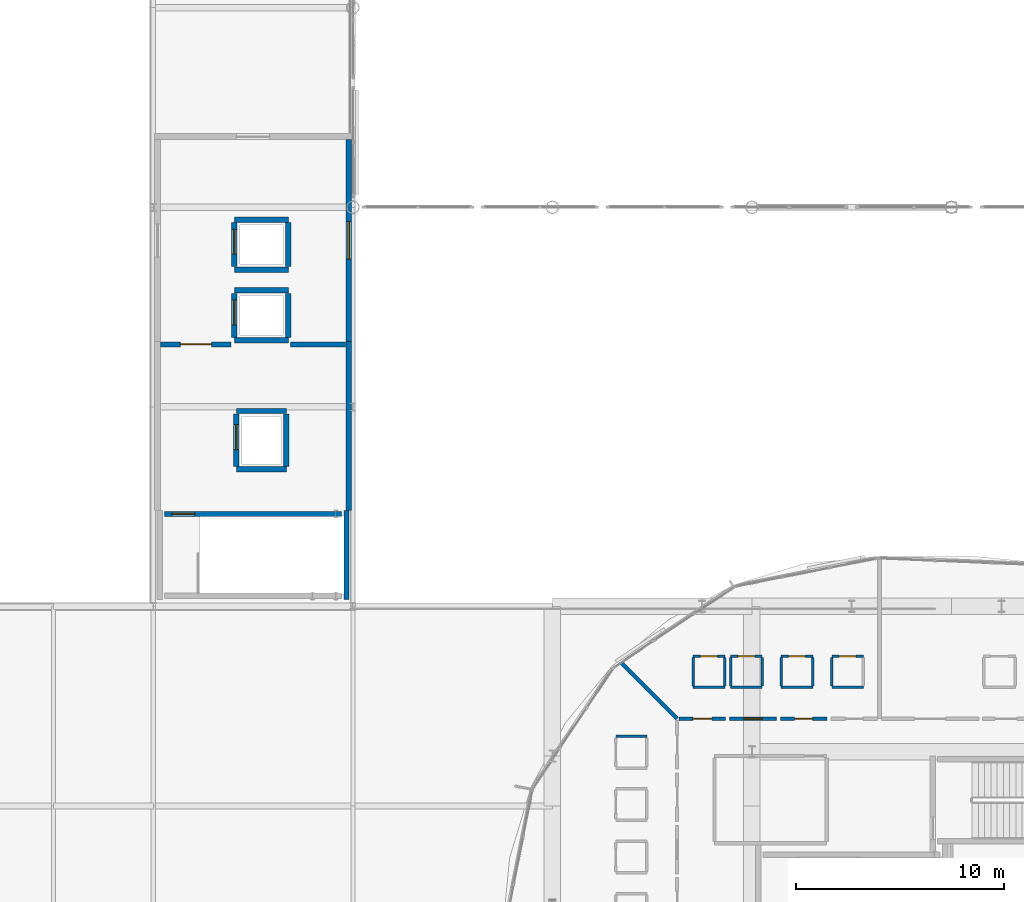
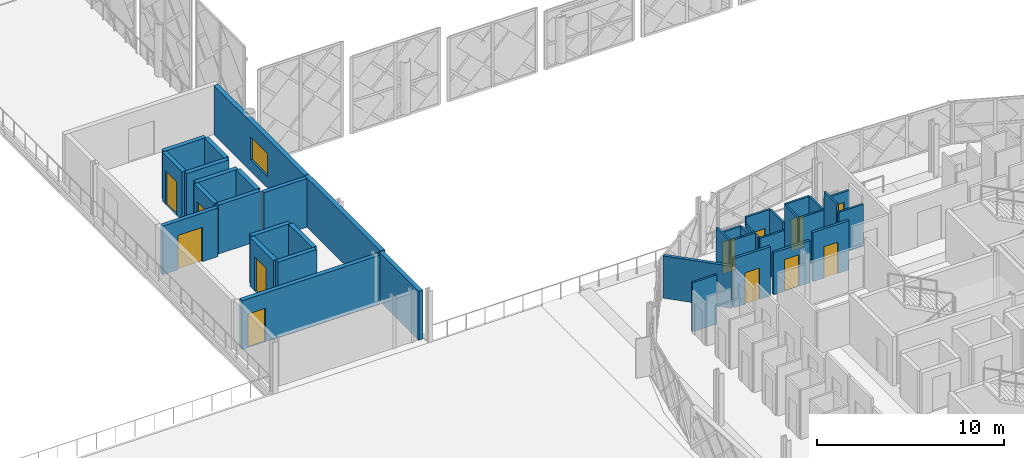
# One storey, part 36 of 53: 38 walls, 12 doors, 1 window, 13 openings.
"""IFC4 building model written with IfcOpenShell, lengths in metres."""

import ifcopenshell
import ifcopenshell.guid

model = None  # the IFC model being written
_history = None  # IfcOwnerHistory: only IFC2X3 demands one
_inside = {}  # id of a spatial element -> (the spatial element, [elements in it])
_under = {}  # id of a project, library or spatial element -> (it, [spatial elements below it])
_declared = {}  # id of a project -> (the project, [libraries it declares])
_typed = {}  # id of a type object -> (the type object, [elements of that type])
_made_of = {}  # id of a material, layer set ... -> (it, [elements and type objects made of it])


def new_model(schema):
    """Start an empty IFC model of exactly this schema.

    Asked for "IFC4X3", IfcOpenShell would pick the latest addendum, in which some entities
    have other attributes; the version numbers below select the first issue.
    IFC2X3 requires an IfcOwnerHistory on every rooted entity: one is made here for all.
    """
    global model, _history
    if schema == "IFC4X3":
        model = ifcopenshell.file(schema_version=(4, 3, 0, 0))
    else:
        model = ifcopenshell.file(schema=schema)
    _inside.clear()
    _under.clear()
    _declared.clear()
    _typed.clear()
    _made_of.clear()
    _history = None
    if model.schema == "IFC2X3":
        org = make("IfcOrganization", Name="unknown")
        user = make(
            "IfcPersonAndOrganization",
            ThePerson=make("IfcPerson", FamilyName="unknown"),
            TheOrganization=org,
        )
        app = make(
            "IfcApplication",
            ApplicationDeveloper=org,
            Version="unknown",
            ApplicationFullName="unknown",
            ApplicationIdentifier="unknown",
        )
        _history = make(
            "IfcOwnerHistory",
            OwningUser=user,
            OwningApplication=app,
            ChangeAction="ADDED",
            CreationDate=0,
        )
    return model


def make(cls, **values):
    """One entity of the class cls with the attributes given. An attribute that is None is left unset."""
    return model.create_entity(
        cls, **{name: value for name, value in values.items() if value is not None}
    )


def rooted(cls, **values):
    """An entity with a GlobalId (a new one), such as an element, a storey or a relation."""
    return make(cls, GlobalId=ifcopenshell.guid.new(), OwnerHistory=_history, **values)


def si_unit(unit_type, name, prefix=None):
    """IfcSIUnit, for example si_unit("LENGTHUNIT", "METRE", prefix="MILLI")."""
    return make("IfcSIUnit", UnitType=unit_type, Prefix=prefix, Name=name)


def assignment(units):
    """IfcUnitAssignment: the units of a project."""
    return None if units is None else make("IfcUnitAssignment", Units=units)


def point(xyz):
    """IfcCartesianPoint."""
    return None if xyz is None else make("IfcCartesianPoint", Coordinates=xyz)


def direction(xyz):
    """IfcDirection."""
    return None if xyz is None else make("IfcDirection", DirectionRatios=xyz)


def frame(location, z_axis=None, x_axis=None):
    """IfcAxis2Placement3D, a coordinate frame: its origin and axes. An axis left out is left unset."""
    return make(
        "IfcAxis2Placement3D",
        Location=point(location),
        Axis=direction(z_axis),
        RefDirection=direction(x_axis),
    )


def frame_2d(location, x_axis=None):
    """IfcAxis2Placement2D, a coordinate frame in the plane: its origin and x axis."""
    return make(
        "IfcAxis2Placement2D", Location=point(location), RefDirection=direction(x_axis)
    )


def origin():
    """The frame at (0, 0, 0) with its axes left unset."""
    return frame((0.0, 0.0, 0.0))


def place(relative_to, where):
    """IfcLocalPlacement: puts the frame where relative to a parent placement (None: the world)."""
    return make(
        "IfcLocalPlacement", PlacementRelTo=relative_to, RelativePlacement=where
    )


def context(
    kind, dimensions, precision=None, world=None, true_north=None, identifier=None
):
    """IfcGeometricRepresentationContext, for example the 3D "Model" context."""
    return make(
        "IfcGeometricRepresentationContext",
        ContextIdentifier=identifier,
        ContextType=kind,
        CoordinateSpaceDimension=dimensions,
        Precision=precision,
        WorldCoordinateSystem=world,
        TrueNorth=true_north,
    )


def subcontext(parent, identifier, kind, view, scale=None):
    """IfcGeometricRepresentationSubContext, for example "Body" below "Model"."""
    return make(
        "IfcGeometricRepresentationSubContext",
        ContextIdentifier=identifier,
        ContextType=kind,
        ParentContext=parent,
        TargetScale=scale,
        TargetView=view,
    )


def project(units=None, contexts=None):
    """IfcProject with its units and contexts."""
    return rooted(
        "IfcProject",
        Name="project",
        RepresentationContexts=contexts,
        UnitsInContext=assignment(units),
    )


def spatial(cls, under=None, at=None, **own):
    """A site, building, storey or space (cls), placed at a placement, below another one or the project."""
    s = rooted(cls, ObjectPlacement=at, **own)
    if under is not None:
        _under.setdefault(under.id(), (under, []))[1].append(s)
    return s


def profile(cls, at=None, kind="AREA", **sizes):
    """A parametric profile (cls). Its sizes go by their IFC names, for example OverallWidth=200.0."""
    return make(cls, ProfileType=kind, Position=at, **sizes)


def rectangle(**sizes):
    """IfcRectangleProfileDef."""
    return profile("IfcRectangleProfileDef", **sizes)


def extrude(swept, where, along, depth):
    """IfcExtrudedAreaSolid: the profile swept, set in the frame where, extruded along a direction by depth."""
    return make(
        "IfcExtrudedAreaSolid",
        SweptArea=swept,
        Position=where,
        ExtrudedDirection=direction(along),
        Depth=depth,
    )


def shape(context_of_items, identifier, shape_type, items):
    """IfcShapeRepresentation: the items that make up one representation, for example the "Body"."""
    return make(
        "IfcShapeRepresentation",
        ContextOfItems=context_of_items,
        RepresentationIdentifier=identifier,
        RepresentationType=shape_type,
        Items=items,
    )


def material(Name=None, Category=None):
    """IfcMaterial."""
    return make("IfcMaterial", Name=Name, Category=Category)


def layer(
    of_material, thickness, ventilated=None, Name=None, Category=None, Priority=None
):
    """IfcMaterialLayer: one layer of a wall or slab, of a material (None: an air gap)."""
    return make(
        "IfcMaterialLayer",
        Material=of_material,
        LayerThickness=thickness,
        IsVentilated=ventilated,
        Name=Name,
        Category=Category,
        Priority=Priority,
    )


def layer_set(layers, Name=None):
    """IfcMaterialLayerSet."""
    return make("IfcMaterialLayerSet", MaterialLayers=layers, LayerSetName=Name)


def made_of(thing, what):
    """Note that an element or type object is made of a material, layer set ...; save() writes the relation."""
    if what is not None:
        _made_of.setdefault(what.id(), (what, []))[1].append(thing)
    return thing


def type_object(cls, material=None, **own):
    """A type object (cls), such as IfcWallType, which elements share."""
    return made_of(rooted(cls, **own), material)


def element(
    cls,
    number,
    at=None,
    inside=None,
    cuts=None,
    type_object=None,
    material=None,
    context=None,
    identifier="Body",
    shape_type=None,
    held_by="IfcProductDefinitionShape",
    body=None,
    shapes=None,
    **own,
):
    """One element of the class cls, such as IfcWall. Its Tag is "e" and its number.

    at: its placement. inside: the storey or other place that contains it. cuts: it is an
    opening in that element (IfcRelVoidsElement). A single representation is given by context,
    identifier, shape_type and body (its items); several are given by shapes. held_by: the class
    of the entity that holds the representations. save() writes the other relations.
    """
    e = rooted(cls, Tag="e%d" % number, ObjectPlacement=at, **own)
    if body is not None:
        shapes = [shape(context, identifier, shape_type, body)]
    if shapes is not None:
        e.Representation = make(held_by, Representations=shapes)
    if inside is not None:
        _inside.setdefault(inside.id(), (inside, []))[1].append(e)
    if cuts is not None:
        rooted(
            "IfcRelVoidsElement", RelatingBuildingElement=cuts, RelatedOpeningElement=e
        )
    if type_object is not None:
        _typed.setdefault(type_object.id(), (type_object, []))[1].append(e)
    return made_of(e, material)


def fill(opening, filler):
    """IfcRelFillsElement: the door or window that sits in an opening."""
    return rooted(
        "IfcRelFillsElement",
        RelatingOpeningElement=opening,
        RelatedBuildingElement=filler,
    )


def aggregate(whole, parts):
    """IfcRelAggregates: a whole, such as a stair, and the parts it consists of."""
    return rooted("IfcRelAggregates", RelatingObject=whole, RelatedObjects=parts)


def save(model, path):
    """Write the relations noted so far, then the file.

    IfcRelAggregates (storeys below a building ...), IfcRelContainedInSpatialStructure (elements
    in a storey), IfcRelDefinesByType, IfcRelAssociatesMaterial and IfcRelDeclares: one each for
    every whole, place, type object, material and project.
    """
    for whole, parts in _under.values():
        aggregate(whole, parts)
    for where, things in _inside.values():
        rooted(
            "IfcRelContainedInSpatialStructure",
            RelatedElements=things,
            RelatingStructure=where,
        )
    for kind, things in _typed.values():
        rooted("IfcRelDefinesByType", RelatedObjects=things, RelatingType=kind)
    for what, things in _made_of.values():
        rooted("IfcRelAssociatesMaterial", RelatedObjects=things, RelatingMaterial=what)
    for by, libraries in _declared.values():
        rooted("IfcRelDeclares", RelatingContext=by, RelatedDefinitions=libraries)
    model.write(path)


model = new_model("IFC4")

# Units and contexts
model_context = context("Model", 3, precision=1e-05, world=origin(), true_north=direction((0.0, 1.0)))
body_context = subcontext(model_context, "Body", "Model", "MODEL_VIEW")
ifc_project = project(units=[si_unit("LENGTHUNIT", "METRE"), si_unit("AREAUNIT", "SQUARE_METRE"), si_unit("VOLUMEUNIT", "CUBIC_METRE"), si_unit("PLANEANGLEUNIT", "RADIAN"), si_unit("MASSUNIT", "GRAM", prefix="KILO")], contexts=[model_context])

# Site, building, storey
site_placement = place(None, origin())
site = spatial("IfcSite", under=ifc_project, at=site_placement, CompositionType="ELEMENT")
building_placement = place(site_placement, origin())
building = spatial("IfcBuilding", under=site, at=building_placement, Name="Zevrakil Square Congress Hotel", CompositionType="ELEMENT")
storey_placement = place(building_placement, frame((0.0, 0.0, 14.699951171875)))
storey = spatial("IfcBuildingStorey", under=building, at=storey_placement, Name="L04", CompositionType="ELEMENT", Elevation=14.699951171875)

# Wall, opening, door
ifc_material_1 = material(Name="Concrete C35/45", Category="concrete")
ifc_layer_1 = layer(ifc_material_1, 0.239990234375)
ifc_layer_set_1 = layer_set([ifc_layer_1], Name="Concrete C35/45")
wall_type_1 = type_object("IfcWallType", Name="WAL-COMP-240", PredefinedType="SOLIDWALL", material=ifc_layer_set_1)
wall_1_placement = place(storey_placement, frame((108.35009765625, 58.199951171875, 0.0), z_axis=(0.0, 0.0, 1.0), x_axis=(1.0, 0.0, 0.0)))
wall_1 = element("IfcWall", 1, at=wall_1_placement, inside=storey, type_object=wall_type_1, Name="L04 interior partition PW-L04-0079", PredefinedType="SOLIDWALL", context=body_context, shape_type="SweptSolid", body=[
    extrude(rectangle(XDim=3.39990234375, YDim=0.239990234375, at=frame_2d((1.699951171875, 0.0))), origin(), (0.0, 0.0, 1.0), 3.179931640625),
])
opening_1_placement = place(wall_1_placement, frame((0.949951171875, 0.0, 0.0)))
opening_1 = element("IfcOpeningElement", 2, at=opening_1_placement, cuts=wall_1, Name="Opening ID-03", PredefinedType="OPENING", context=body_context, shape_type="SweptSolid", body=[
    extrude(rectangle(XDim=1.5, YDim=2.25, at=frame_2d((0.75, 1.125))), frame((0.0, 0.1298828125, 0.0), z_axis=(0.0, -1.0, 0.0), x_axis=(1.0, 0.0, 0.0)), (0.0, 0.0, 1.0), 0.260009765625),
])
ifc_material_2 = material(Name="Acoustic Double Meeting Door")
door_type_1 = type_object("IfcDoorType", Name="DOR-MTG-150", OperationType="NOTDEFINED", PredefinedType="DOOR", material=ifc_material_2)
door_1_placement = place(opening_1_placement, origin())
door_1 = element("IfcDoor", 3, at=door_1_placement, inside=storey, type_object=door_type_1, Name="L04 interior door 29", OperationType="DOUBLE_DOOR_SINGLE_SWING", OverallHeight=2.25, OverallWidth=1.5, PredefinedType="DOOR", context=body_context, shape_type="SweptSolid", body=[
    extrude(rectangle(XDim=1.5, YDim=2.25, at=frame_2d((0.75, 1.125))), frame((0.0, 0.02490234375, 0.0), z_axis=(0.0, -1.0, 0.0), x_axis=(1.0, 0.0, 0.0)), (0.0, 0.0, 1.0), 0.050048828125),
])
fill(opening_1, door_1)

# Wall
wall_2_placement = place(storey_placement, frame((114.60009765625, 58.199951171875, 0.0), z_axis=(0.0, 0.0, 1.0), x_axis=(1.0, 0.0, 0.0)))
element("IfcWall", 4, at=wall_2_placement, inside=storey, type_object=wall_type_1, Name="L04 interior partition PW-L04-0080", PredefinedType="SOLIDWALL", context=body_context, shape_type="SweptSolid", body=[
    extrude(rectangle(XDim=2.64990234375, YDim=0.239990234375, at=frame_2d((1.324951171875, 0.0))), origin(), (0.0, 0.0, 1.0), 3.179931640625),
])

# Wall, opening, door
ifc_material_3 = material(Name="Gypsum Acoustic Stud Partition")
ifc_layer_2 = layer(ifc_material_3, 0.159912109375)
ifc_layer_set_2 = layer_set([ifc_layer_2], Name="Gypsum Acoustic Stud Partition")
wall_type_2 = type_object("IfcWallType", Name="WAL-CORR-160", PredefinedType="PARTITIONING", material=ifc_layer_set_2)
wall_3_placement = place(storey_placement, frame((138.1650390625, 40.199951171875, 0.0), z_axis=(0.0, 0.0, 1.0), x_axis=(1.0, 0.0, 0.0)))
wall_3 = element("IfcWall", 5, at=wall_3_placement, inside=storey, type_object=wall_type_2, Name="L04 interior partition PW-L04-0389", PredefinedType="PARTITIONING", context=body_context, shape_type="SweptSolid", body=[
    extrude(rectangle(XDim=2.244873046875, YDim=0.159912109375, at=frame_2d((1.12255859375, 0.0))), origin(), (0.0, 0.0, 1.0), 3.215087890625),
])
opening_2_placement = place(wall_3_placement, frame((0.695068359375, 0.0, 0.0)))
opening_2 = element("IfcOpeningElement", 6, at=opening_2_placement, cuts=wall_3, Name="Opening ID-G01", PredefinedType="OPENING", context=body_context, shape_type="SweptSolid", body=[
    extrude(rectangle(XDim=0.85498046875, YDim=2.050048828125, at=frame_2d((0.427490234375, 1.02490234375))), frame((0.0, 0.08984375, 0.0), z_axis=(0.0, -1.0, 0.0), x_axis=(1.0, 0.0, 0.0)), (0.0, 0.0, 1.0), 0.179931640625),
])
ifc_material_4 = material(Name="Acoustic Timber Fire Door", Category="wood")
door_type_2 = type_object("IfcDoorType", Name="DOR-INT-G01", OperationType="NOTDEFINED", PredefinedType="DOOR", material=ifc_material_4)
door_2_placement = place(opening_2_placement, origin())
door_2 = element("IfcDoor", 7, at=door_2_placement, inside=storey, type_object=door_type_2, Name="L04 interior door 159", OperationType="SINGLE_SWING_LEFT", OverallHeight=2.050048828125, OverallWidth=0.85498046875, PredefinedType="DOOR", context=body_context, shape_type="SweptSolid", body=[
    extrude(rectangle(XDim=0.85498046875, YDim=2.050048828125, at=frame_2d((0.427490234375, 1.02490234375))), frame((0.0, 0.02490234375, 0.0), z_axis=(0.0, -1.0, 0.0), x_axis=(1.0, 0.0, 0.0)), (0.0, 0.0, 1.0), 0.050048828125),
])
fill(opening_2, door_2)

wall_4_placement = place(storey_placement, frame((135.72998046875, 40.199951171875, 0.0), z_axis=(0.0, 0.0, 1.0), x_axis=(1.0, 0.0, 0.0)))
wall_4 = element("IfcWall", 8, at=wall_4_placement, inside=storey, type_object=wall_type_2, Name="L04 interior partition PW-L04-0394", PredefinedType="PARTITIONING", context=body_context, shape_type="SweptSolid", body=[
    extrude(rectangle(XDim=2.2451171875, YDim=0.159912109375, at=frame_2d((1.12255859375, 0.0))), origin(), (0.0, 0.0, 1.0), 2.75),
])
opening_3_placement = place(wall_4_placement, frame((0.678466796875, 0.0, 0.0)))
opening_3 = element("IfcOpeningElement", 9, at=opening_3_placement, cuts=wall_4, Name="Opening ID-H04", PredefinedType="OPENING", context=body_context, shape_type="SweptSolid", body=[
    extrude(rectangle(XDim=0.887939453125, YDim=2.070068359375, at=frame_2d((0.44384765625, 1.03515625))), frame((0.0, 0.08984375, 0.0), z_axis=(0.0, -1.0, 0.0), x_axis=(1.0, 0.0, 0.0)), (0.0, 0.0, 1.0), 0.179931640625),
])
ifc_material_5 = material(Name="Acoustic Timber Fire Door", Category="wood")
door_type_3 = type_object("IfcDoorType", Name="DOR-INT-H04", OperationType="NOTDEFINED", PredefinedType="DOOR", material=ifc_material_5)
door_3_placement = place(opening_3_placement, origin())
door_3 = element("IfcDoor", 10, at=door_3_placement, inside=storey, type_object=door_type_3, Name="L04 interior door 161", OperationType="SINGLE_SWING_LEFT", OverallHeight=2.070068359375, OverallWidth=0.887939453125, PredefinedType="DOOR", context=body_context, shape_type="SweptSolid", body=[
    extrude(rectangle(XDim=0.887939453125, YDim=2.070068359375, at=frame_2d((0.44384765625, 1.03515625))), frame((0.0, 0.02490234375, 0.0), z_axis=(0.0, -1.0, 0.0), x_axis=(1.0, 0.0, 0.0)), (0.0, 0.0, 1.0), 0.050048828125),
])
fill(opening_3, door_3)

wall_5_placement = place(storey_placement, frame((133.294921875, 40.199951171875, 0.0), z_axis=(0.0, 0.0, 1.0), x_axis=(1.0, 0.0, 0.0)))
wall_5 = element("IfcWall", 11, at=wall_5_placement, inside=storey, type_object=wall_type_2, Name="L04 interior partition PW-L04-0399", PredefinedType="PARTITIONING", context=body_context, shape_type="SweptSolid", body=[
    extrude(rectangle(XDim=2.2451171875, YDim=0.159912109375, at=frame_2d((1.12255859375, 0.0))), origin(), (0.0, 0.0, 1.0), 3.215087890625),
])
opening_4_placement = place(wall_5_placement, frame((0.669921875, 0.0, 0.0)))
opening_4 = element("IfcOpeningElement", 12, at=opening_4_placement, cuts=wall_5, Name="Opening ID-G03", PredefinedType="OPENING", context=body_context, shape_type="SweptSolid", body=[
    extrude(rectangle(XDim=0.905029296875, YDim=2.050048828125, at=frame_2d((0.45263671875, 1.02490234375))), frame((0.0, 0.08984375, 0.0), z_axis=(0.0, -1.0, 0.0), x_axis=(1.0, 0.0, 0.0)), (0.0, 0.0, 1.0), 0.179931640625),
])
ifc_material_6 = material(Name="Acoustic Timber Fire Door", Category="wood")
door_type_4 = type_object("IfcDoorType", Name="DOR-INT-G03", OperationType="NOTDEFINED", PredefinedType="DOOR", material=ifc_material_6)
door_4_placement = place(opening_4_placement, origin())
door_4 = element("IfcDoor", 13, at=door_4_placement, inside=storey, type_object=door_type_4, Name="L04 interior door 163", OperationType="SINGLE_SWING_LEFT", OverallHeight=2.050048828125, OverallWidth=0.905029296875, PredefinedType="DOOR", context=body_context, shape_type="SweptSolid", body=[
    extrude(rectangle(XDim=0.905029296875, YDim=2.050048828125, at=frame_2d((0.45263671875, 1.02490234375))), frame((0.0, 0.02490234375, 0.0), z_axis=(0.0, -1.0, 0.0), x_axis=(1.0, 0.0, 0.0)), (0.0, 0.0, 1.0), 0.050048828125),
])
fill(opening_4, door_4)

# Wall
ifc_material_7 = material(Name="Moisture-Resistant Gypsum Partition")
ifc_layer_3 = layer(ifc_material_7, 0.1201171875)
ifc_layer_set_3 = layer_set([ifc_layer_3], Name="Moisture-Resistant Gypsum Partition")
wall_type_3 = type_object("IfcWallType", Name="WAL-ENS-120", PredefinedType="PARTITIONING", material=ifc_layer_set_3)
wall_6_placement = place(storey_placement, frame((140.64501953125, 41.699951171875, 0.0), z_axis=(0.0, 0.0, 1.0), x_axis=(1.0, 0.0, 0.0)))
element("IfcWall", 14, at=wall_6_placement, inside=storey, type_object=wall_type_3, Name="L04 interior partition PW-L04-0384", PredefinedType="PARTITIONING", context=body_context, shape_type="SweptSolid", body=[
    extrude(rectangle(XDim=1.52001953125, YDim=0.1201171875, at=frame_2d((0.760009765625, 0.0))), origin(), (0.0, 0.0, 1.0), 2.75),
])

# Wall, opening, door
wall_7_placement = place(storey_placement, frame((140.64501953125, 43.199951171875, 0.0), z_axis=(0.0, 0.0, 1.0), x_axis=(1.0, 0.0, 0.0)))
wall_7 = element("IfcWall", 15, at=wall_7_placement, inside=storey, type_object=wall_type_3, Name="L04 interior partition PW-L04-0385", PredefinedType="PARTITIONING", context=body_context, shape_type="SweptSolid", body=[
    extrude(rectangle(XDim=1.52001953125, YDim=0.1201171875, at=frame_2d((0.760009765625, 0.0))), origin(), (0.0, 0.0, 1.0), 2.75),
])
opening_5_placement = place(wall_7_placement, frame((0.35009765625, 0.0, 0.0)))
opening_5 = element("IfcOpeningElement", 16, at=opening_5_placement, cuts=wall_7, Name="Opening ID-11", PredefinedType="OPENING", context=body_context, shape_type="SweptSolid", body=[
    extrude(rectangle(XDim=0.820068359375, YDim=2.080078125, at=frame_2d((0.41015625, 1.0400390625))), frame((0.0, 0.070068359375, 0.0), z_axis=(0.0, -1.0, 0.0), x_axis=(1.0, 0.0, 0.0)), (0.0, 0.0, 1.0), 0.14013671875),
])
ifc_material_8 = material(Name="Acoustic Timber Door", Category="wood")
door_type_5 = type_object("IfcDoorType", Name="DOR-INT-V01", OperationType="NOTDEFINED", PredefinedType="DOOR", material=ifc_material_8)
door_5_placement = place(opening_5_placement, origin())
door_5 = element("IfcDoor", 17, at=door_5_placement, inside=storey, type_object=door_type_5, Name="L04 interior door 158", OperationType="SINGLE_SWING_RIGHT", OverallHeight=2.080078125, OverallWidth=0.820068359375, PredefinedType="DOOR", context=body_context, shape_type="SweptSolid", body=[
    extrude(rectangle(XDim=0.820068359375, YDim=2.080078125, at=frame_2d((0.41015625, 1.0400390625))), frame((0.0, 0.02490234375, 0.0), z_axis=(0.0, -1.0, 0.0), x_axis=(1.0, 0.0, 0.0)), (0.0, 0.0, 1.0), 0.050048828125),
])
fill(opening_5, door_5)

# Walls
wall_8_placement = place(storey_placement, frame((140.64501953125, 41.764892578125, 0.0), z_axis=(0.0, 0.0, 1.0), x_axis=(0.0, 1.0, 0.0)))
element("IfcWall", 18, at=wall_8_placement, inside=storey, type_object=wall_type_3, Name="L04 interior partition PW-L04-0386", PredefinedType="PARTITIONING", context=body_context, shape_type="SweptSolid", body=[
    extrude(rectangle(XDim=1.3701171875, YDim=0.1201171875, at=frame_2d((0.68505859375, 0.0))), origin(), (0.0, 0.0, 1.0), 3.215087890625),
])
wall_9_placement = place(storey_placement, frame((138.2099609375, 41.699951171875, 0.0), z_axis=(0.0, 0.0, 1.0), x_axis=(1.0, 0.0, 0.0)))
element("IfcWall", 19, at=wall_9_placement, inside=storey, type_object=wall_type_3, Name="L04 interior partition PW-L04-0390", PredefinedType="PARTITIONING", context=body_context, shape_type="SweptSolid", body=[
    extrude(rectangle(XDim=1.52001953125, YDim=0.1201171875, at=frame_2d((0.760009765625, 0.0))), origin(), (0.0, 0.0, 1.0), 3.215087890625),
])

# Wall, opening, door
wall_10_placement = place(storey_placement, frame((138.2099609375, 43.199951171875, 0.0), z_axis=(0.0, 0.0, 1.0), x_axis=(1.0, 0.0, 0.0)))
wall_10 = element("IfcWall", 20, at=wall_10_placement, inside=storey, type_object=wall_type_3, Name="L04 interior partition PW-L04-0391", PredefinedType="PARTITIONING", context=body_context, shape_type="SweptSolid", body=[
    extrude(rectangle(XDim=1.52001953125, YDim=0.1201171875, at=frame_2d((0.760009765625, 0.0))), origin(), (0.0, 0.0, 1.0), 3.215087890625),
])
opening_6_placement = place(wall_10_placement, frame((0.35009765625, 0.0, 0.0)))
opening_6 = element("IfcOpeningElement", 21, at=opening_6_placement, cuts=wall_10, Name="Opening ID-11", PredefinedType="OPENING", context=body_context, shape_type="SweptSolid", body=[
    extrude(rectangle(XDim=0.820068359375, YDim=2.080078125, at=frame_2d((0.41015625, 1.0400390625))), frame((0.0, 0.070068359375, 0.0), z_axis=(0.0, -1.0, 0.0), x_axis=(1.0, 0.0, 0.0)), (0.0, 0.0, 1.0), 0.14013671875),
])
door_6_placement = place(opening_6_placement, origin())
door_6 = element("IfcDoor", 22, at=door_6_placement, inside=storey, type_object=door_type_5, Name="L04 interior door 160", OperationType="SINGLE_SWING_RIGHT", OverallHeight=2.080078125, OverallWidth=0.820068359375, PredefinedType="DOOR", context=body_context, shape_type="SweptSolid", body=[
    extrude(rectangle(XDim=0.820068359375, YDim=2.080078125, at=frame_2d((0.41015625, 1.0400390625))), frame((0.0, 0.02490234375, 0.0), z_axis=(0.0, -1.0, 0.0), x_axis=(1.0, 0.0, 0.0)), (0.0, 0.0, 1.0), 0.050048828125),
])
fill(opening_6, door_6)

# Walls
for number, where, z_axis, x_axis, name in (
    (23, (138.2099609375, 41.764892578125, 0.0), (0.0, 0.0, 1.0), (0.0, 1.0, 0.0), "L04 interior partition PW-L04-0392"),
    (24, (139.72998046875, 41.764892578125, 0.0), (0.0, 0.0, 1.0), (0.0, 1.0, 0.0), "L04 interior partition PW-L04-0393"),
):
    element("IfcWall", number, at=place(storey_placement, frame(where, z_axis=z_axis, x_axis=x_axis)), inside=storey, type_object=wall_type_3, Name=name, PredefinedType="PARTITIONING", context=body_context, shape_type="SweptSolid", body=[
        extrude(rectangle(XDim=1.3701171875, YDim=0.1201171875, at=frame_2d((0.68505859375, 0.0))), origin(), (0.0, 0.0, 1.0), 3.215087890625),
    ])
wall_11_placement = place(storey_placement, frame((135.77490234375, 41.699951171875, 0.0), z_axis=(0.0, 0.0, 1.0), x_axis=(1.0, 0.0, 0.0)))
element("IfcWall", 25, at=wall_11_placement, inside=storey, type_object=wall_type_3, Name="L04 interior partition PW-L04-0395", PredefinedType="PARTITIONING", context=body_context, shape_type="SweptSolid", body=[
    extrude(rectangle(XDim=1.52001953125, YDim=0.1201171875, at=frame_2d((0.760009765625, 0.0))), origin(), (0.0, 0.0, 1.0), 2.75),
])

# Wall, opening, door
wall_12_placement = place(storey_placement, frame((135.77490234375, 43.199951171875, 0.0), z_axis=(0.0, 0.0, 1.0), x_axis=(1.0, 0.0, 0.0)))
wall_12 = element("IfcWall", 26, at=wall_12_placement, inside=storey, type_object=wall_type_3, Name="L04 interior partition PW-L04-0396", PredefinedType="PARTITIONING", context=body_context, shape_type="SweptSolid", body=[
    extrude(rectangle(XDim=1.52001953125, YDim=0.1201171875, at=frame_2d((0.760009765625, 0.0))), origin(), (0.0, 0.0, 1.0), 3.215087890625),
])
opening_7_placement = place(wall_12_placement, frame((0.35009765625, 0.0, 0.0)))
opening_7 = element("IfcOpeningElement", 27, at=opening_7_placement, cuts=wall_12, Name="Opening ID-11", PredefinedType="OPENING", context=body_context, shape_type="SweptSolid", body=[
    extrude(rectangle(XDim=0.820068359375, YDim=2.080078125, at=frame_2d((0.41015625, 1.0400390625))), frame((0.0, 0.070068359375, 0.0), z_axis=(0.0, -1.0, 0.0), x_axis=(1.0, 0.0, 0.0)), (0.0, 0.0, 1.0), 0.14013671875),
])
door_7_placement = place(opening_7_placement, origin())
door_7 = element("IfcDoor", 28, at=door_7_placement, inside=storey, type_object=door_type_5, Name="L04 interior door 162", OperationType="SINGLE_SWING_RIGHT", OverallHeight=2.080078125, OverallWidth=0.820068359375, PredefinedType="DOOR", context=body_context, shape_type="SweptSolid", body=[
    extrude(rectangle(XDim=0.820068359375, YDim=2.080078125, at=frame_2d((0.41015625, 1.0400390625))), frame((0.0, 0.02490234375, 0.0), z_axis=(0.0, -1.0, 0.0), x_axis=(1.0, 0.0, 0.0)), (0.0, 0.0, 1.0), 0.050048828125),
])
fill(opening_7, door_7)

# Walls
wall_13_placement = place(storey_placement, frame((135.77490234375, 41.764892578125, 0.0), z_axis=(0.0, 0.0, 1.0), x_axis=(0.0, 1.0, 0.0)))
element("IfcWall", 29, at=wall_13_placement, inside=storey, type_object=wall_type_3, Name="L04 interior partition PW-L04-0397", PredefinedType="PARTITIONING", context=body_context, shape_type="SweptSolid", body=[
    extrude(rectangle(XDim=1.3701171875, YDim=0.1201171875, at=frame_2d((0.68505859375, 0.0))), origin(), (0.0, 0.0, 1.0), 2.75),
])
wall_14_placement = place(storey_placement, frame((137.294921875, 41.764892578125, 0.0), z_axis=(0.0, 0.0, 1.0), x_axis=(0.0, 1.0, 0.0)))
element("IfcWall", 30, at=wall_14_placement, inside=storey, type_object=wall_type_3, Name="L04 interior partition PW-L04-0398", PredefinedType="PARTITIONING", context=body_context, shape_type="SweptSolid", body=[
    extrude(rectangle(XDim=1.3701171875, YDim=0.1201171875, at=frame_2d((0.68505859375, 0.0))), origin(), (0.0, 0.0, 1.0), 3.215087890625),
])
wall_15_placement = place(storey_placement, frame((133.97509765625, 41.699951171875, 0.0), z_axis=(0.0, 0.0, 1.0), x_axis=(1.0, 0.0, 0.0)))
element("IfcWall", 31, at=wall_15_placement, inside=storey, type_object=wall_type_3, Name="L04 interior partition PW-L04-0400", PredefinedType="PARTITIONING", context=body_context, shape_type="SweptSolid", body=[
    extrude(rectangle(XDim=1.52001953125, YDim=0.1201171875, at=frame_2d((0.760009765625, 0.0))), origin(), (0.0, 0.0, 1.0), 3.215087890625),
])

# Wall, opening, door
wall_16_placement = place(storey_placement, frame((133.97509765625, 43.199951171875, 0.0), z_axis=(0.0, 0.0, 1.0), x_axis=(1.0, 0.0, 0.0)))
wall_16 = element("IfcWall", 32, at=wall_16_placement, inside=storey, type_object=wall_type_3, Name="L04 interior partition PW-L04-0401", PredefinedType="PARTITIONING", context=body_context, shape_type="SweptSolid", body=[
    extrude(rectangle(XDim=1.52001953125, YDim=0.1201171875, at=frame_2d((0.760009765625, 0.0))), origin(), (0.0, 0.0, 1.0), 2.75),
])
opening_8_placement = place(wall_16_placement, frame((0.35009765625, 0.0, 0.0)))
opening_8 = element("IfcOpeningElement", 33, at=opening_8_placement, cuts=wall_16, Name="Opening ID-11", PredefinedType="OPENING", context=body_context, shape_type="SweptSolid", body=[
    extrude(rectangle(XDim=0.820068359375, YDim=2.080078125, at=frame_2d((0.41015625, 1.0400390625))), frame((0.0, 0.070068359375, 0.0), z_axis=(0.0, -1.0, 0.0), x_axis=(1.0, 0.0, 0.0)), (0.0, 0.0, 1.0), 0.14013671875),
])
door_8_placement = place(opening_8_placement, origin())
door_8 = element("IfcDoor", 34, at=door_8_placement, inside=storey, type_object=door_type_5, Name="L04 interior door 164", OperationType="SINGLE_SWING_RIGHT", OverallHeight=2.080078125, OverallWidth=0.820068359375, PredefinedType="DOOR", context=body_context, shape_type="SweptSolid", body=[
    extrude(rectangle(XDim=0.820068359375, YDim=2.080078125, at=frame_2d((0.41015625, 1.0400390625))), frame((0.0, 0.02490234375, 0.0), z_axis=(0.0, -1.0, 0.0), x_axis=(1.0, 0.0, 0.0)), (0.0, 0.0, 1.0), 0.050048828125),
])
fill(opening_8, door_8)

# Walls
wall_17_placement = place(storey_placement, frame((133.97509765625, 41.764892578125, 0.0), z_axis=(0.0, 0.0, 1.0), x_axis=(0.0, 1.0, 0.0)))
element("IfcWall", 35, at=wall_17_placement, inside=storey, type_object=wall_type_3, Name="L04 interior partition PW-L04-0402", PredefinedType="PARTITIONING", context=body_context, shape_type="SweptSolid", body=[
    extrude(rectangle(XDim=1.3701171875, YDim=0.1201171875, at=frame_2d((0.68505859375, 0.0))), origin(), (0.0, 0.0, 1.0), 3.215087890625),
])
wall_18_placement = place(storey_placement, frame((135.4951171875, 41.764892578125, 0.0), z_axis=(0.0, 0.0, 1.0), x_axis=(0.0, 1.0, 0.0)))
element("IfcWall", 36, at=wall_18_placement, inside=storey, type_object=wall_type_3, Name="L04 interior partition PW-L04-0403", PredefinedType="PARTITIONING", context=body_context, shape_type="SweptSolid", body=[
    extrude(rectangle(XDim=1.3701171875, YDim=0.1201171875, at=frame_2d((0.68505859375, 0.0))), origin(), (0.0, 0.0, 1.0), 2.75),
])
wall_19_placement = place(storey_placement, frame((130.25, 39.340087890625, 0.0), z_axis=(0.0, 0.0, 1.0), x_axis=(1.0, 0.0, 0.0)))
element("IfcWall", 37, at=wall_19_placement, inside=storey, type_object=wall_type_3, Name="L04 interior partition PW-L04-0407", PredefinedType="PARTITIONING", context=body_context, shape_type="SweptSolid", body=[
    extrude(rectangle(XDim=1.5, YDim=0.1201171875, at=frame_2d((0.75, 0.0))), origin(), (0.0, 0.0, 1.0), 3.215087890625),
])
ifc_material_9 = material(Name="Precast concrete C40/50", Category="concrete")
ifc_layer_4 = layer(ifc_material_9, 0.280029296875)
ifc_layer_set_4 = layer_set([ifc_layer_4], Name="Precast concrete C40/50")
wall_type_4 = type_object("IfcWallType", Name="WAL-EXT-PAV-280", PredefinedType="SOLIDWALL", material=ifc_layer_set_4)
wall_20_placement = place(storey_placement, frame((117.39990234375, 50.205078125, 0.0), z_axis=(0.0, 0.0, 1.0), x_axis=(0.0, 1.0, 0.0)))
element("IfcWall", 38, at=wall_20_placement, inside=storey, type_object=wall_type_4, Name="L04 exterior GRC wall EW-L04-0115", PredefinedType="SOLIDWALL", context=body_context, shape_type="SweptSolid", body=[
    extrude(rectangle(XDim=8.141845703125, YDim=0.280029296875, at=frame_2d((4.07080078125, 0.0))), origin(), (0.0, 0.0, 1.0), 3.215087890625),
])

# Wall, opening, window
wall_21_placement = place(storey_placement, frame((117.39990234375, 58.35302734375, 0.0), z_axis=(0.0, 0.0, 1.0), x_axis=(0.0, 1.0, 0.0)))
wall_21 = element("IfcWall", 39, at=wall_21_placement, inside=storey, type_object=wall_type_4, Name="L04 exterior GRC wall EW-L04-0116", PredefinedType="SOLIDWALL", context=body_context, shape_type="SweptSolid", body=[
    extrude(rectangle(XDim=9.701904296875, YDim=0.280029296875, at=frame_2d((4.85107421875, 0.0))), origin(), (0.0, 0.0, 1.0), 3.215087890625),
])
opening_9_placement = place(wall_21_placement, frame((3.950927734375, 0.0, 0.75)))
opening_9 = element("IfcOpeningElement", 40, at=opening_9_placement, cuts=wall_21, Name="Opening WN-10", PredefinedType="OPENING", context=body_context, shape_type="SweptSolid", body=[
    extrude(rectangle(XDim=1.800048828125, YDim=1.5, at=frame_2d((0.89990234375, 0.75))), frame((0.0, 0.14990234375, 0.0), z_axis=(0.0, -1.0, 0.0), x_axis=(1.0, 0.0, 0.0)), (0.0, 0.0, 1.0), 0.300048828125),
])
ifc_material_10 = material(Name="Low-E Solar Control Double Glazing", Category="glass")
window_type = type_object("IfcWindowType", Name="WIN-EXT-10", PartitioningType="SINGLE_PANEL", PredefinedType="WINDOW", material=ifc_material_10)
window_placement = place(opening_9_placement, origin())
window = element("IfcWindow", 41, at=window_placement, inside=storey, type_object=window_type, Name="L04 low-E solar window 98", OverallHeight=1.5, OverallWidth=1.800048828125, PartitioningType="SINGLE_PANEL", PredefinedType="WINDOW", context=body_context, shape_type="SweptSolid", body=[
    extrude(rectangle(XDim=1.800048828125, YDim=1.5, at=frame_2d((0.89990234375, 0.75))), frame((0.0, 0.030029296875, 0.0), z_axis=(0.0, -1.0, 0.0), x_axis=(1.0, 0.0, 0.0)), (0.0, 0.0, 1.0), 0.06005859375),
])
fill(opening_9, window)

# Walls
ifc_material_11 = material(Name="Gypsum Twin-Stud Party Partition")
ifc_layer_5 = layer(ifc_material_11, 0.179931640625)
ifc_layer_set_5 = layer_set([ifc_layer_5], Name="Gypsum Twin-Stud Party Partition")
wall_type_5 = type_object("IfcWallType", Name="WAL-PARTY-180", PredefinedType="PARTITIONING", material=ifc_layer_set_5)
wall_22_placement = place(storey_placement, frame((133.199951171875, 40.199951171875, 0.0), z_axis=(0.0, 0.0, 1.0), x_axis=(-0.707106781187, 0.707106781187, 0.0)))
element("IfcWall", 42, at=wall_22_placement, inside=storey, type_object=wall_type_5, Name="L04 interior partition PW-L04-0404", PredefinedType="PARTITIONING", context=body_context, shape_type="SweptSolid", body=[
    extrude(rectangle(XDim=3.78857421875, YDim=0.179931640625, at=frame_2d((1.894287109375, 0.0))), origin(), (0.0, 0.0, 1.0), 2.760009765625),
])
ifc_material_12 = material(Name="Concrete C40/50", Category="concrete")
ifc_layer_6 = layer(ifc_material_12, 0.260009765625)
ifc_layer_set_6 = layer_set([ifc_layer_6], Name="Concrete C40/50")
wall_type_6 = type_object("IfcWallType", Name="WAL-SHAFT-260", PredefinedType="SHEAR", material=ifc_layer_set_6)
wall_23_placement = place(storey_placement, frame((117.294921875, 45.93994140625, 0.0), z_axis=(0.0, 0.0, 1.0), x_axis=(0.0, 1.0, 0.0)))
element("IfcWall", 43, at=wall_23_placement, inside=storey, type_object=wall_type_6, Name="L04 ST07 stair shaft E wall", PredefinedType="SHEAR", context=body_context, shape_type="SweptSolid", body=[
    extrude(rectangle(XDim=4.27001953125, YDim=0.260009765625, at=frame_2d((2.135009765625, 0.0))), origin(), (0.0, 0.0, 1.0), 3.195068359375),
])

# Wall, opening, door
wall_24_placement = place(storey_placement, frame((108.5400390625, 50.044921875, 0.0), z_axis=(0.0, 0.0, 1.0), x_axis=(1.0, 0.0, 0.0)))
wall_24 = element("IfcWall", 44, at=wall_24_placement, inside=storey, type_object=wall_type_6, Name="L04 ST07 stair shaft N wall", PredefinedType="SHEAR", context=body_context, shape_type="SweptSolid", body=[
    extrude(rectangle(XDim=8.52001953125, YDim=0.260009765625, at=frame_2d((4.260009765625, 0.0))), origin(), (0.0, 0.0, 1.0), 3.195068359375),
])
opening_10_placement = place(wall_24_placement, frame((0.35009765625, 0.0, 0.0)))
opening_10 = element("IfcOpeningElement", 45, at=opening_10_placement, cuts=wall_24, Name="Opening SD-ST07", PredefinedType="OPENING", context=body_context, shape_type="SweptSolid", body=[
    extrude(rectangle(XDim=1.10009765625, YDim=2.199951171875, at=frame_2d((0.550048828125, 1.10009765625))), frame((0.0, 0.14013671875, 0.0), z_axis=(0.0, -1.0, 0.0), x_axis=(1.0, 0.0, 0.0)), (0.0, 0.0, 1.0), 0.280029296875),
])
ifc_material_13 = material(Name="Steel S355 Fire-Rated Door", Category="steel")
door_type_6 = type_object("IfcDoorType", Name="DOR-STAIR-FD90-110", OperationType="NOTDEFINED", PredefinedType="DOOR", material=ifc_material_13)
door_9_placement = place(opening_10_placement, origin())
door_9 = element("IfcDoor", 46, at=door_9_placement, inside=storey, type_object=door_type_6, Name="L04 ST07 protected stair fire door", OperationType="SINGLE_SWING_LEFT", OverallHeight=2.199951171875, OverallWidth=1.10009765625, PredefinedType="DOOR", context=body_context, shape_type="SweptSolid", body=[
    extrude(rectangle(XDim=1.10009765625, YDim=2.199951171875, at=frame_2d((0.550048828125, 1.10009765625))), frame((0.0, 0.02490234375, 0.0), z_axis=(0.0, -1.0, 0.0), x_axis=(1.0, 0.0, 0.0)), (0.0, 0.0, 1.0), 0.050048828125),
])
fill(opening_10, door_9)

# Walls
for number, where, z_axis, x_axis, name in (
    (47, (112.0, 52.199951171875, 0.0), (0.0, 0.0, 1.0), (1.0, 0.0, 0.0), "L04 FFL2 lift shaft wall"),
    (48, (112.0, 55.0, 0.0), (0.0, 0.0, 1.0), (1.0, 0.0, 0.0), "L04 FFL2 lift shaft wall"),
):
    element("IfcWall", number, at=place(storey_placement, frame(where, z_axis=z_axis, x_axis=x_axis)), inside=storey, type_object=wall_type_6, Name=name, PredefinedType="SHEAR", context=body_context, shape_type="SweptSolid", body=[
        extrude(rectangle(XDim=2.39990234375, YDim=0.260009765625, at=frame_2d((1.199951171875, 0.0))), origin(), (0.0, 0.0, 1.0), 3.195068359375),
    ])

# Wall, opening, door
wall_25_placement = place(storey_placement, frame((112.0, 52.340087890625, 0.0), z_axis=(0.0, 0.0, 1.0), x_axis=(0.0, 1.0, 0.0)))
wall_25 = element("IfcWall", 49, at=wall_25_placement, inside=storey, type_object=wall_type_6, Name="L04 FFL2 lift shaft wall", PredefinedType="SHEAR", context=body_context, shape_type="SweptSolid", body=[
    extrude(rectangle(XDim=2.52001953125, YDim=0.260009765625, at=frame_2d((1.260009765625, 0.0))), origin(), (0.0, 0.0, 1.0), 3.195068359375),
])
opening_11_placement = place(wall_25_placement, frame((0.800048828125, 0.0, 0.0)))
opening_11 = element("IfcOpeningElement", 50, at=opening_11_placement, cuts=wall_25, Name="Opening LD-FFL2", PredefinedType="OPENING", context=body_context, shape_type="SweptSolid", body=[
    extrude(rectangle(XDim=1.199951171875, YDim=2.199951171875, at=frame_2d((0.60009765625, 1.10009765625))), frame((0.0, 0.14013671875, 0.0), z_axis=(0.0, -1.0, 0.0), x_axis=(1.0, 0.0, 0.0)), (0.0, 0.0, 1.0), 0.280029296875),
])
ifc_material_14 = material(Name="Stainless Steel Sliding Lift Landing Door", Category="steel")
door_type_7 = type_object("IfcDoorType", Name="DOR-LIFT-LD120", OperationType="NOTDEFINED", PredefinedType="DOOR", material=ifc_material_14)
door_10_placement = place(opening_11_placement, origin())
door_10 = element("IfcDoor", 51, at=door_10_placement, inside=storey, type_object=door_type_7, Name="L04 FFL2 sliding lift landing door", OperationType="SLIDING_TO_LEFT", OverallHeight=2.199951171875, OverallWidth=1.199951171875, PredefinedType="DOOR", context=body_context, shape_type="SweptSolid", body=[
    extrude(rectangle(XDim=1.199951171875, YDim=2.199951171875, at=frame_2d((0.60009765625, 1.10009765625))), frame((0.0, 0.02490234375, 0.0), z_axis=(0.0, -1.0, 0.0), x_axis=(1.0, 0.0, 0.0)), (0.0, 0.0, 1.0), 0.050048828125),
])
fill(opening_11, door_10)

# Walls
wall_26_placement = place(storey_placement, frame((114.39990234375, 52.340087890625, 0.0), z_axis=(0.0, 0.0, 1.0), x_axis=(0.0, 1.0, 0.0)))
element("IfcWall", 52, at=wall_26_placement, inside=storey, type_object=wall_type_6, Name="L04 FFL2 lift shaft wall", PredefinedType="SHEAR", context=body_context, shape_type="SweptSolid", body=[
    extrude(rectangle(XDim=2.52001953125, YDim=0.260009765625, at=frame_2d((1.260009765625, 0.0))), origin(), (0.0, 0.0, 1.0), 3.195068359375),
])
for number, where, z_axis, x_axis, name in (
    (53, (111.89990234375, 58.39990234375, 0.0), (0.0, 0.0, 1.0), (1.0, 0.0, 0.0), "L04 CL1 lift shaft wall"),
    (54, (111.89990234375, 60.800048828125, 0.0), (0.0, 0.0, 1.0), (1.0, 0.0, 0.0), "L04 CL1 lift shaft wall"),
):
    element("IfcWall", number, at=place(storey_placement, frame(where, z_axis=z_axis, x_axis=x_axis)), inside=storey, type_object=wall_type_6, Name=name, PredefinedType="SHEAR", context=body_context, shape_type="SweptSolid", body=[
        extrude(rectangle(XDim=2.60009765625, YDim=0.260009765625, at=frame_2d((1.300048828125, 0.0))), origin(), (0.0, 0.0, 1.0), 3.195068359375),
    ])

# Wall, opening, door
wall_27_placement = place(storey_placement, frame((111.89990234375, 58.5400390625, 0.0), z_axis=(0.0, 0.0, 1.0), x_axis=(0.0, 1.0, 0.0)))
wall_27 = element("IfcWall", 55, at=wall_27_placement, inside=storey, type_object=wall_type_6, Name="L04 CL1 lift shaft wall", PredefinedType="SHEAR", context=body_context, shape_type="SweptSolid", body=[
    extrude(rectangle(XDim=2.119873046875, YDim=0.260009765625, at=frame_2d((1.06005859375, 0.0))), origin(), (0.0, 0.0, 1.0), 3.195068359375),
])
opening_12_placement = place(wall_27_placement, frame((0.60009765625, 0.0, 0.0)))
opening_12 = element("IfcOpeningElement", 56, at=opening_12_placement, cuts=wall_27, Name="Opening LD-CL1", PredefinedType="OPENING", context=body_context, shape_type="SweptSolid", body=[
    extrude(rectangle(XDim=1.199951171875, YDim=2.199951171875, at=frame_2d((0.60009765625, 1.10009765625))), frame((0.0, 0.14013671875, 0.0), z_axis=(0.0, -1.0, 0.0), x_axis=(1.0, 0.0, 0.0)), (0.0, 0.0, 1.0), 0.280029296875),
])
door_11_placement = place(opening_12_placement, origin())
door_11 = element("IfcDoor", 57, at=door_11_placement, inside=storey, type_object=door_type_7, Name="L04 CL1 sliding lift landing door", OperationType="SLIDING_TO_RIGHT", OverallHeight=2.199951171875, OverallWidth=1.199951171875, PredefinedType="DOOR", context=body_context, shape_type="SweptSolid", body=[
    extrude(rectangle(XDim=1.199951171875, YDim=2.199951171875, at=frame_2d((0.60009765625, 1.10009765625))), frame((0.0, 0.02490234375, 0.0), z_axis=(0.0, -1.0, 0.0), x_axis=(1.0, 0.0, 0.0)), (0.0, 0.0, 1.0), 0.050048828125),
])
fill(opening_12, door_11)

# Walls
wall_28_placement = place(storey_placement, frame((114.5, 58.5400390625, 0.0), z_axis=(0.0, 0.0, 1.0), x_axis=(0.0, 1.0, 0.0)))
element("IfcWall", 58, at=wall_28_placement, inside=storey, type_object=wall_type_6, Name="L04 CL1 lift shaft wall", PredefinedType="SHEAR", context=body_context, shape_type="SweptSolid", body=[
    extrude(rectangle(XDim=2.119873046875, YDim=0.260009765625, at=frame_2d((1.06005859375, 0.0))), origin(), (0.0, 0.0, 1.0), 3.195068359375),
])
for number, where, z_axis, x_axis, name in (
    (59, (111.89990234375, 61.800048828125, 0.0), (0.0, 0.0, 1.0), (1.0, 0.0, 0.0), "L04 CL2 lift shaft wall"),
    (60, (111.89990234375, 64.199951171875, 0.0), (0.0, 0.0, 1.0), (1.0, 0.0, 0.0), "L04 CL2 lift shaft wall"),
):
    element("IfcWall", number, at=place(storey_placement, frame(where, z_axis=z_axis, x_axis=x_axis)), inside=storey, type_object=wall_type_6, Name=name, PredefinedType="SHEAR", context=body_context, shape_type="SweptSolid", body=[
        extrude(rectangle(XDim=2.60009765625, YDim=0.260009765625, at=frame_2d((1.300048828125, 0.0))), origin(), (0.0, 0.0, 1.0), 3.195068359375),
    ])

# Wall, opening, door
wall_29_placement = place(storey_placement, frame((111.89990234375, 61.93994140625, 0.0), z_axis=(0.0, 0.0, 1.0), x_axis=(0.0, 1.0, 0.0)))
wall_29 = element("IfcWall", 61, at=wall_29_placement, inside=storey, type_object=wall_type_6, Name="L04 CL2 lift shaft wall", PredefinedType="SHEAR", context=body_context, shape_type="SweptSolid", body=[
    extrude(rectangle(XDim=2.1201171875, YDim=0.260009765625, at=frame_2d((1.06005859375, 0.0))), origin(), (0.0, 0.0, 1.0), 3.195068359375),
])
opening_13_placement = place(wall_29_placement, frame((0.60009765625, 0.0, 0.0)))
opening_13 = element("IfcOpeningElement", 62, at=opening_13_placement, cuts=wall_29, Name="Opening LD-CL2", PredefinedType="OPENING", context=body_context, shape_type="SweptSolid", body=[
    extrude(rectangle(XDim=1.199951171875, YDim=2.199951171875, at=frame_2d((0.60009765625, 1.10009765625))), frame((0.0, 0.14013671875, 0.0), z_axis=(0.0, -1.0, 0.0), x_axis=(1.0, 0.0, 0.0)), (0.0, 0.0, 1.0), 0.280029296875),
])
door_12_placement = place(opening_13_placement, origin())
door_12 = element("IfcDoor", 63, at=door_12_placement, inside=storey, type_object=door_type_7, Name="L04 CL2 sliding lift landing door", OperationType="SLIDING_TO_LEFT", OverallHeight=2.199951171875, OverallWidth=1.199951171875, PredefinedType="DOOR", context=body_context, shape_type="SweptSolid", body=[
    extrude(rectangle(XDim=1.199951171875, YDim=2.199951171875, at=frame_2d((0.60009765625, 1.10009765625))), frame((0.0, 0.02490234375, 0.0), z_axis=(0.0, -1.0, 0.0), x_axis=(1.0, 0.0, 0.0)), (0.0, 0.0, 1.0), 0.050048828125),
])
fill(opening_13, door_12)

# Wall
wall_30_placement = place(storey_placement, frame((114.5, 61.93994140625, 0.0), z_axis=(0.0, 0.0, 1.0), x_axis=(0.0, 1.0, 0.0)))
element("IfcWall", 64, at=wall_30_placement, inside=storey, type_object=wall_type_6, Name="L04 CL2 lift shaft wall", PredefinedType="SHEAR", context=body_context, shape_type="SweptSolid", body=[
    extrude(rectangle(XDim=2.1201171875, YDim=0.260009765625, at=frame_2d((1.06005859375, 0.0))), origin(), (0.0, 0.0, 1.0), 3.195068359375),
])

save(model, "model.ifc")
